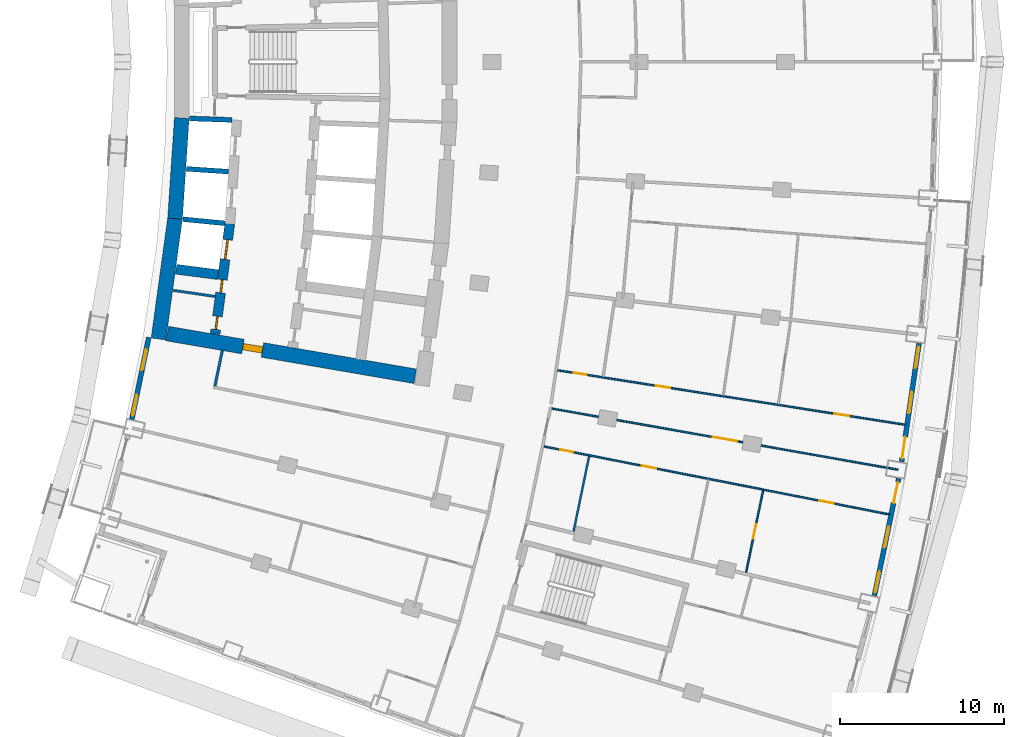
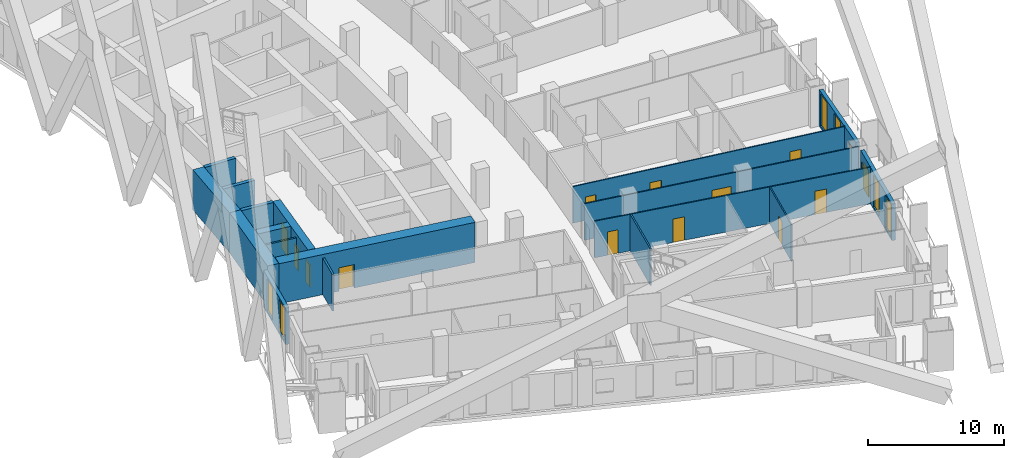
# One storey, part 13 of 23: 18 walls, 14 doors, 6 windows, 20 openings.
"""IFC4 building model written with IfcOpenShell, lengths in metres."""

from ifc_helpers import new_model, si_unit, direction, frame, frame_2d, origin, place, context, subcontext, project, spatial, rectangle, extrude, material, layer, layer_set, type_object, element, fill, save


model = new_model("IFC4")

# Units and contexts
model_context = context("Model", 3, precision=1e-05, world=origin(), true_north=direction((0.0, 1.0)))
body_context = subcontext(model_context, "Body", "Model", "MODEL_VIEW")
ifc_project = project(units=[si_unit("LENGTHUNIT", "METRE"), si_unit("AREAUNIT", "SQUARE_METRE"), si_unit("VOLUMEUNIT", "CUBIC_METRE"), si_unit("PLANEANGLEUNIT", "RADIAN"), si_unit("MASSUNIT", "GRAM", prefix="KILO")], contexts=[model_context])

# Site, building, storey
site_placement = place(None, origin())
site = spatial("IfcSite", under=ifc_project, at=site_placement, CompositionType="ELEMENT")
building_placement = place(site_placement, origin())
building = spatial("IfcBuilding", under=site, at=building_placement, Name="Alderwake Tower", CompositionType="ELEMENT")
storey_placement = place(building_placement, frame((0.0, 0.0, 53.60009765625)))
storey = spatial("IfcBuildingStorey", under=building, at=storey_placement, Name="L12", CompositionType="ELEMENT", Elevation=53.60009765625)

# Walls
ifc_material_1 = material(Name="Gypsum shaft wall system, rated")
ifc_layer_1 = layer(ifc_material_1, 0.14990234375)
ifc_layer_set_1 = layer_set([ifc_layer_1], Name="Core room partition 150")
wall_type_1 = type_object("IfcWallType", Name="Core room partition 150", PredefinedType="PARTITIONING", material=ifc_layer_set_1)
wall_1_placement = place(storey_placement, frame((16.361328125, 47.08203125, 0.0), z_axis=(0.0, 0.0, 1.0), x_axis=(0.989733250733, -0.142926877787, 0.0)))
element("IfcWall", 1, at=wall_1_placement, inside=storey, type_object=wall_type_1, Name="CW/L12/PR-150_+0", PredefinedType="PARTITIONING", context=body_context, shape_type="SweptSolid", body=[
    extrude(rectangle(XDim=2.587890625, YDim=0.14990234375, at=frame_2d((1.2939453125, 0.0))), origin(), (0.0, 0.0, 1.0), 3.27978515625),
])
ifc_material_2 = material(Name="Concrete C70/85", Category="concrete")
ifc_layer_2 = layer(ifc_material_2, 0.89990234375)
ifc_layer_set_2 = layer_set([ifc_layer_2], Name="Core wall outer 900 C70-85")
wall_type_2 = type_object("IfcWallType", Name="Core wall outer 900 C70-85", PredefinedType="SHEAR", material=ifc_layer_set_2)
wall_2_placement = place(storey_placement, frame((15.46923828125, 44.1201171875, 0.0), z_axis=(0.0, 0.0, 1.0), x_axis=(0.136337234661, 0.990662484626, 0.0)))
element("IfcWall", 2, at=wall_2_placement, inside=storey, type_object=wall_type_2, Name="Core wall CW.042", PredefinedType="SHEAR", context=body_context, shape_type="SweptSolid", body=[
    extrude(rectangle(XDim=7.431396484375, YDim=0.89990234375, at=frame_2d((3.7158203125, 0.0))), origin(), (0.0, 0.0, 1.0), 3.599853515625),
])
wall_3_placement = place(storey_placement, frame((16.47900390625, 51.449951171875, 0.0), z_axis=(0.0, 0.0, 1.0), x_axis=(0.06689316208, 0.997760143956, 0.0)))
element("IfcWall", 3, at=wall_3_placement, inside=storey, type_object=wall_type_2, Name="Core wall CW.041", PredefinedType="SHEAR", context=body_context, shape_type="SweptSolid", body=[
    extrude(rectangle(XDim=6.149658203125, YDim=0.89990234375, at=frame_2d((3.07470703125, 0.0))), origin(), (0.0, 0.0, 1.0), 3.599853515625),
])

# Wall, opening, door
wall_4_placement = place(storey_placement, frame((31.11328125, 41.846923828125, 0.0), z_axis=(0.0, 0.0, 1.0), x_axis=(-0.985466640605, 0.169869067972, 0.0)))
wall_4 = element("IfcWall", 4, at=wall_4_placement, inside=storey, type_object=wall_type_2, Name="Core wall CW.070", PredefinedType="SHEAR", context=body_context, shape_type="SweptSolid", body=[
    extrude(rectangle(XDim=15.336669921875, YDim=0.89990234375, at=frame_2d((7.66845703125, 0.0))), origin(), (0.0, 0.0, 1.0), 3.599853515625),
])
opening_1_placement = place(wall_4_placement, frame((9.451904296875, 0.0, 0.0)))
opening_1 = element("IfcOpeningElement", 5, at=opening_1_placement, cuts=wall_4, Name="Opening C003", PredefinedType="OPENING", context=body_context, shape_type="SweptSolid", body=[
    extrude(rectangle(XDim=1.199951171875, YDim=2.10009765625, at=frame_2d((0.60009765625, 1.050048828125))), frame((0.0, 0.4599609375, 0.0), z_axis=(0.0, -1.0, 0.0), x_axis=(1.0, 0.0, 0.0)), (0.0, 0.0, 1.0), 0.919921875),
])
ifc_material_3 = material(Name="Steel-framed fire door leaf", Category="steel")
door_type_1 = type_object("IfcDoorType", Name="Core lobby exit door 1200 fire-rated", OperationType="SINGLE_SWING_LEFT", PredefinedType="DOOR", material=ifc_material_3)
door_1_placement = place(opening_1_placement, origin())
door_1 = element("IfcDoor", 6, at=door_1_placement, inside=storey, type_object=door_type_1, Name="Lobby door", OperationType="SINGLE_SWING_LEFT", OverallHeight=2.10009765625, OverallWidth=1.199951171875, PredefinedType="DOOR", context=body_context, shape_type="SweptSolid", body=[
    extrude(rectangle(XDim=1.199951171875, YDim=2.10009765625, at=frame_2d((0.60009765625, 1.050048828125))), frame((0.0, 0.199951171875, 0.0), z_axis=(0.0, -1.0, 0.0), x_axis=(1.0, 0.0, 0.0)), (0.0, 0.0, 1.0), 0.39990234375),
])
fill(opening_1, door_1)

# Walls
ifc_material_4 = material(Name="Concrete C70/85", Category="concrete")
ifc_layer_3 = layer(ifc_material_4, 0.300048828125)
ifc_layer_set_3 = layer_set([ifc_layer_3], Name="Core wall shaft 300 C70-85")
wall_type_3 = type_object("IfcWallType", Name="Core wall shaft 300 C70-85", PredefinedType="SHEAR", material=ifc_layer_set_3)
wall_5_placement = place(storey_placement, frame((16.9580078125, 51.4189453125, 0.0), z_axis=(0.0, 0.0, 1.0), x_axis=(0.995153154577, -0.098337169657, 0.0)))
element("IfcWall", 7, at=wall_5_placement, inside=storey, type_object=wall_type_3, Name="Core wall CW.065", PredefinedType="SHEAR", context=body_context, shape_type="SweptSolid", body=[
    extrude(rectangle(XDim=2.569580078125, YDim=0.300048828125, at=frame_2d((1.28466796875, 0.0))), origin(), (0.0, 0.0, 1.0), 3.599853515625),
])
wall_6_placement = place(storey_placement, frame((17.16357421875, 54.486083984375, 0.0), z_axis=(0.0, 0.0, 1.0), x_axis=(0.997758581961, -0.066916456292, 0.0)))
element("IfcWall", 8, at=wall_6_placement, inside=storey, type_object=wall_type_3, Name="Core wall CW.079", PredefinedType="SHEAR", context=body_context, shape_type="SweptSolid", body=[
    extrude(rectangle(XDim=2.568603515625, YDim=0.300048828125, at=frame_2d((1.2841796875, 0.0))), origin(), (0.0, 0.0, 1.0), 3.599853515625),
])
wall_7_placement = place(storey_placement, frame((17.369140625, 57.553466796875, 0.0), z_axis=(0.0, 0.0, 1.0), x_axis=(0.99937189907, -0.035437372217, 0.0)))
element("IfcWall", 9, at=wall_7_placement, inside=storey, type_object=wall_type_3, Name="Core wall CW.076", PredefinedType="SHEAR", context=body_context, shape_type="SweptSolid", body=[
    extrude(rectangle(XDim=2.56982421875, YDim=0.300048828125, at=frame_2d((1.284912109375, 0.0))), origin(), (0.0, 0.0, 1.0), 3.599853515625),
])

# Wall, openings, doors
ifc_material_5 = material(Name="Concrete C70/85", Category="concrete")
ifc_layer_4 = layer(ifc_material_5, 0.60009765625)
ifc_layer_set_4 = layer_set([ifc_layer_4], Name="Core wall spine 600 C70-85")
wall_type_4 = type_object("IfcWallType", Name="Core wall spine 600 C70-85", PredefinedType="SHEAR", material=ifc_layer_set_4)
wall_8_placement = place(storey_placement, frame((19.815185546875, 51.14697265625, 0.0), z_axis=(0.0, 0.0, 1.0), x_axis=(-0.131854836214, -0.991269036219, 0.0)))
wall_8 = element("IfcWall", 10, at=wall_8_placement, inside=storey, type_object=wall_type_4, Name="Core wall CW.033", PredefinedType="SHEAR", context=body_context, shape_type="SweptSolid", body=[
    extrude(rectangle(XDim=6.782470703125, YDim=0.60009765625, at=frame_2d((3.39111328125, 0.0))), origin(), (0.0, 0.0, 1.0), 3.599853515625),
])
opening_2_placement = place(wall_8_placement, frame((0.9921875, 0.0, 0.0)))
opening_2 = element("IfcOpeningElement", 11, at=opening_2_placement, cuts=wall_8, Name="Opening LD-LP1", PredefinedType="OPENING", context=body_context, shape_type="SweptSolid", body=[
    extrude(rectangle(XDim=1.199951171875, YDim=2.300048828125, at=frame_2d((0.60009765625, 1.14990234375))), frame((0.0, 0.31005859375, 0.0), z_axis=(0.0, -1.0, 0.0), x_axis=(1.0, 0.0, 0.0)), (0.0, 0.0, 1.0), 0.6201171875),
])
opening_3_placement = place(wall_8_placement, frame((5.699951171875, 0.0, 0.0)))
opening_3 = element("IfcOpeningElement", 12, at=opening_3_placement, cuts=wall_8, Name="Opening C008", PredefinedType="OPENING", context=body_context, shape_type="SweptSolid", body=[
    extrude(rectangle(XDim=0.800048828125, YDim=2.0, at=frame_2d((0.39990234375, 1.0))), frame((0.0, 0.31005859375, 0.0), z_axis=(0.0, -1.0, 0.0), x_axis=(1.0, 0.0, 0.0)), (0.0, 0.0, 1.0), 0.6201171875),
])
opening_4_placement = place(wall_8_placement, frame((3.4462890625, 0.0, 0.0)))
opening_4 = element("IfcOpeningElement", 13, at=opening_4_placement, cuts=wall_8, Name="Opening C012", PredefinedType="OPENING", context=body_context, shape_type="SweptSolid", body=[
    extrude(rectangle(XDim=0.800048828125, YDim=2.0, at=frame_2d((0.39990234375, 1.0))), frame((0.0, 0.31005859375, 0.0), z_axis=(0.0, -1.0, 0.0), x_axis=(1.0, 0.0, 0.0)), (0.0, 0.0, 1.0), 0.6201171875),
])
ifc_material_6 = material(Name="Stainless steel sliding leaf", Category="steel")
door_type_2 = type_object("IfcDoorType", Name="Lift landing door 1200", OperationType="SLIDING_TO_LEFT", PredefinedType="DOOR", material=ifc_material_6)
door_2_placement = place(opening_2_placement, origin())
door_2 = element("IfcDoor", 14, at=door_2_placement, inside=storey, type_object=door_type_2, Name="Lift landing door LP1", OperationType="SLIDING_TO_LEFT", OverallHeight=2.300048828125, OverallWidth=1.199951171875, PredefinedType="DOOR", context=body_context, shape_type="SweptSolid", body=[
    extrude(rectangle(XDim=1.199951171875, YDim=2.300048828125, at=frame_2d((0.60009765625, 1.14990234375))), frame((0.0, 0.050048828125, 0.0), z_axis=(0.0, -1.0, 0.0), x_axis=(1.0, 0.0, 0.0)), (0.0, 0.0, 1.0), 0.10009765625),
])
fill(opening_2, door_2)
ifc_material_7 = material(Name="Painted steel leaf, rated", Category="steel")
door_type_3 = type_object("IfcDoorType", Name="Riser access door 800", OperationType="SINGLE_SWING_LEFT", PredefinedType="DOOR", material=ifc_material_7)
door_3_placement = place(opening_3_placement, origin())
door_3 = element("IfcDoor", 15, at=door_3_placement, inside=storey, type_object=door_type_3, Name="Riser access door", OperationType="SINGLE_SWING_LEFT", OverallHeight=2.0, OverallWidth=0.800048828125, PredefinedType="DOOR", context=body_context, shape_type="SweptSolid", body=[
    extrude(rectangle(XDim=0.800048828125, YDim=2.0, at=frame_2d((0.39990234375, 1.0))), frame((0.0, 0.050048828125, 0.0), z_axis=(0.0, -1.0, 0.0), x_axis=(1.0, 0.0, 0.0)), (0.0, 0.0, 1.0), 0.10009765625),
])
fill(opening_3, door_3)
door_4_placement = place(opening_4_placement, origin())
door_4 = element("IfcDoor", 16, at=door_4_placement, inside=storey, type_object=door_type_3, Name="Riser access door", OperationType="SINGLE_SWING_RIGHT", OverallHeight=2.0, OverallWidth=0.800048828125, PredefinedType="DOOR", context=body_context, shape_type="SweptSolid", body=[
    extrude(rectangle(XDim=0.800048828125, YDim=2.0, at=frame_2d((0.39990234375, 1.0))), frame((0.0, 0.050048828125, 0.0), z_axis=(0.0, -1.0, 0.0), x_axis=(1.0, 0.0, 0.0)), (0.0, 0.0, 1.0), 0.10009765625),
])
fill(opening_4, door_4)

# Walls
wall_9_placement = place(storey_placement, frame((16.5390625, 48.373291015625, 0.0), z_axis=(0.0, 0.0, 1.0), x_axis=(0.99156081818, -0.129642369037, 0.0)))
element("IfcWall", 17, at=wall_9_placement, inside=storey, type_object=wall_type_4, Name="Core wall CW.067", PredefinedType="SHEAR", context=body_context, shape_type="SweptSolid", body=[
    extrude(rectangle(XDim=2.581787109375, YDim=0.60009765625, at=frame_2d((1.291015625, 0.0))), origin(), (0.0, 0.0, 1.0), 3.599853515625),
])
ifc_material_8 = material(Name="Gypsum board on metal studs, rated")
ifc_layer_5 = layer(ifc_material_8, 0.159912109375)
ifc_layer_set_5 = layer_set([ifc_layer_5], Name="Corridor wall 160")
wall_type_5 = type_object("IfcWallType", Name="Corridor wall 160", PredefinedType="PARTITIONING", material=ifc_layer_set_5)
wall_10_placement = place(storey_placement, frame((19.35888671875, 43.430908203125, 0.0), z_axis=(0.0, 0.0, 1.0), x_axis=(-0.202554916658, -0.979270905183, 0.0)))
element("IfcWall", 18, at=wall_10_placement, inside=storey, type_object=wall_type_5, Name="WL/L12/W16", PredefinedType="PARTITIONING", context=body_context, shape_type="SweptSolid", body=[
    extrude(rectangle(XDim=2.229736328125, YDim=0.159912109375, at=frame_2d((1.11474609375, 0.0))), origin(), (0.0, 0.0, 1.0), 3.27978515625),
])

# Wall, openings, door, windows
ifc_material_9 = material(Name="Precast concrete C50/60 spandrel panel", Category="concrete")
ifc_layer_6 = layer(ifc_material_9, 0.300048828125)
ifc_layer_set_6 = layer_set([ifc_layer_6], Name="External wall EW1 Precast concrete C50/60 spandrel")
wall_type_6 = type_object("IfcWallType", Name="External wall EW1 Precast concrete C50/60 spandrel", PredefinedType="SOLIDWALL", material=ifc_layer_set_6)
wall_11_placement = place(storey_placement, frame((59.085205078125, 28.483642578125, 0.0), z_axis=(0.0, 0.0, 1.0), x_axis=(0.202751929138, 0.979230133948, 0.0)))
wall_11 = element("IfcWall", 19, at=wall_11_placement, inside=storey, type_object=wall_type_6, Name="External wall 13", PredefinedType="SOLIDWALL", context=body_context, shape_type="SweptSolid", body=[
    extrude(rectangle(XDim=7.28271484375, YDim=0.300048828125, at=frame_2d((3.641357421875, 0.0))), origin(), (0.0, 0.0, 1.0), 3.27978515625),
])
opening_5_placement = place(wall_11_placement, frame((0.218994140625, 0.0, 0.199951171875)))
opening_5 = element("IfcOpeningElement", 20, at=opening_5_placement, cuts=wall_11, Name="Opening W1", PredefinedType="OPENING", context=body_context, shape_type="SweptSolid", body=[
    extrude(rectangle(XDim=1.300048828125, YDim=2.89990234375, at=frame_2d((0.64990234375, 1.449951171875))), frame((0.0, 0.159912109375, 0.0), z_axis=(0.0, -1.0, 0.0), x_axis=(1.0, 0.0, 0.0)), (0.0, 0.0, 1.0), 0.320068359375),
])
opening_6_placement = place(wall_11_placement, frame((2.9912109375, 0.0, 0.199951171875)))
opening_6 = element("IfcOpeningElement", 21, at=opening_6_placement, cuts=wall_11, Name="Opening W1", PredefinedType="OPENING", context=body_context, shape_type="SweptSolid", body=[
    extrude(rectangle(XDim=1.300048828125, YDim=2.89990234375, at=frame_2d((0.64990234375, 1.449951171875))), frame((0.0, 0.159912109375, 0.0), z_axis=(0.0, -1.0, 0.0), x_axis=(1.0, 0.0, 0.0)), (0.0, 0.0, 1.0), 0.320068359375),
])
opening_7_placement = place(wall_11_placement, frame((5.763671875, 0.0, 0.0)))
opening_7 = element("IfcOpeningElement", 22, at=opening_7_placement, cuts=wall_11, Name="Opening D04", PredefinedType="OPENING", context=body_context, shape_type="SweptSolid", body=[
    extrude(rectangle(XDim=1.300048828125, YDim=2.39990234375, at=frame_2d((0.64990234375, 1.199951171875))), frame((0.0, 0.159912109375, 0.0), z_axis=(0.0, -1.0, 0.0), x_axis=(1.0, 0.0, 0.0)), (0.0, 0.0, 1.0), 0.320068359375),
])
ifc_material_10 = material(Name="Bronze tinted glass in aluminium frame", Category="aluminium")
door_type_4 = type_object("IfcDoorType", Name="Balcony door BD sliding", OperationType="SLIDING_TO_LEFT", PredefinedType="DOOR", material=ifc_material_10)
door_5_placement = place(opening_7_placement, origin())
door_5 = element("IfcDoor", 23, at=door_5_placement, inside=storey, type_object=door_type_4, Name="Door D04", OperationType="SLIDING_TO_LEFT", OverallHeight=2.39990234375, OverallWidth=1.300048828125, PredefinedType="DOOR", context=body_context, shape_type="SweptSolid", body=[
    extrude(rectangle(XDim=1.300048828125, YDim=2.39990234375, at=frame_2d((0.64990234375, 1.199951171875))), frame((0.0, 0.02490234375, 0.0), z_axis=(0.0, -1.0, 0.0), x_axis=(1.0, 0.0, 0.0)), (0.0, 0.0, 1.0), 0.050048828125),
])
fill(opening_7, door_5)
ifc_material_11 = material(Name="Bronze tinted glass in aluminium frame", Category="aluminium")
window_type = type_object("IfcWindowType", Name="Window W1 tall fixed and vent", PartitioningType="DOUBLE_PANEL_VERTICAL", PredefinedType="WINDOW", material=ifc_material_11)
window_1_placement = place(opening_5_placement, origin())
window_1 = element("IfcWindow", 24, at=window_1_placement, inside=storey, type_object=window_type, Name="Window W1 tall fixed and vent", OverallHeight=2.89990234375, OverallWidth=1.300048828125, PartitioningType="DOUBLE_PANEL_VERTICAL", PredefinedType="WINDOW", context=body_context, shape_type="SweptSolid", body=[
    extrude(rectangle(XDim=1.300048828125, YDim=2.89990234375, at=frame_2d((0.64990234375, 1.449951171875))), frame((0.0, 0.030029296875, 0.0), z_axis=(0.0, -1.0, 0.0), x_axis=(1.0, 0.0, 0.0)), (0.0, 0.0, 1.0), 0.06005859375),
])
fill(opening_5, window_1)
window_2_placement = place(opening_6_placement, origin())
window_2 = element("IfcWindow", 25, at=window_2_placement, inside=storey, type_object=window_type, Name="Window W1 tall fixed and vent", OverallHeight=2.89990234375, OverallWidth=1.300048828125, PartitioningType="DOUBLE_PANEL_VERTICAL", PredefinedType="WINDOW", context=body_context, shape_type="SweptSolid", body=[
    extrude(rectangle(XDim=1.300048828125, YDim=2.89990234375, at=frame_2d((0.64990234375, 1.449951171875))), frame((0.0, 0.030029296875, 0.0), z_axis=(0.0, -1.0, 0.0), x_axis=(1.0, 0.0, 0.0)), (0.0, 0.0, 1.0), 0.06005859375),
])
fill(opening_6, window_2)

wall_12_placement = place(storey_placement, frame((60.744384765625, 36.647705078125, 0.0), z_axis=(0.0, 0.0, 1.0), x_axis=(0.14532991295, 0.989383250516, 0.0)))
wall_12 = element("IfcWall", 26, at=wall_12_placement, inside=storey, type_object=wall_type_6, Name="External wall 14", PredefinedType="SOLIDWALL", context=body_context, shape_type="SweptSolid", body=[
    extrude(rectangle(XDim=7.282470703125, YDim=0.300048828125, at=frame_2d((3.64111328125, 0.0))), origin(), (0.0, 0.0, 1.0), 3.27978515625),
])
opening_8_placement = place(wall_12_placement, frame((0.218994140625, 0.0, 0.0)))
opening_8 = element("IfcOpeningElement", 27, at=opening_8_placement, cuts=wall_12, Name="Opening D05", PredefinedType="OPENING", context=body_context, shape_type="SweptSolid", body=[
    extrude(rectangle(XDim=1.300048828125, YDim=2.39990234375, at=frame_2d((0.64990234375, 1.199951171875))), frame((0.0, 0.159912109375, 0.0), z_axis=(0.0, -1.0, 0.0), x_axis=(1.0, 0.0, 0.0)), (0.0, 0.0, 1.0), 0.320068359375),
])
opening_9_placement = place(wall_12_placement, frame((2.9912109375, 0.0, 0.199951171875)))
opening_9 = element("IfcOpeningElement", 28, at=opening_9_placement, cuts=wall_12, Name="Opening W1", PredefinedType="OPENING", context=body_context, shape_type="SweptSolid", body=[
    extrude(rectangle(XDim=1.300048828125, YDim=2.89990234375, at=frame_2d((0.64990234375, 1.449951171875))), frame((0.0, 0.159912109375, 0.0), z_axis=(0.0, -1.0, 0.0), x_axis=(1.0, 0.0, 0.0)), (0.0, 0.0, 1.0), 0.320068359375),
])
opening_10_placement = place(wall_12_placement, frame((5.763671875, 0.0, 0.199951171875)))
opening_10 = element("IfcOpeningElement", 29, at=opening_10_placement, cuts=wall_12, Name="Opening W1", PredefinedType="OPENING", context=body_context, shape_type="SweptSolid", body=[
    extrude(rectangle(XDim=1.300048828125, YDim=2.89990234375, at=frame_2d((0.64990234375, 1.449951171875))), frame((0.0, 0.159912109375, 0.0), z_axis=(0.0, -1.0, 0.0), x_axis=(1.0, 0.0, 0.0)), (0.0, 0.0, 1.0), 0.320068359375),
])
door_6_placement = place(opening_8_placement, origin())
door_6 = element("IfcDoor", 30, at=door_6_placement, inside=storey, type_object=door_type_4, Name="Door D05", OperationType="SLIDING_TO_LEFT", OverallHeight=2.39990234375, OverallWidth=1.300048828125, PredefinedType="DOOR", context=body_context, shape_type="SweptSolid", body=[
    extrude(rectangle(XDim=1.300048828125, YDim=2.39990234375, at=frame_2d((0.64990234375, 1.199951171875))), frame((0.0, 0.02490234375, 0.0), z_axis=(0.0, -1.0, 0.0), x_axis=(1.0, 0.0, 0.0)), (0.0, 0.0, 1.0), 0.050048828125),
])
fill(opening_8, door_6)
window_3_placement = place(opening_9_placement, origin())
window_3 = element("IfcWindow", 31, at=window_3_placement, inside=storey, type_object=window_type, Name="Window W1 tall fixed and vent", OverallHeight=2.89990234375, OverallWidth=1.300048828125, PartitioningType="DOUBLE_PANEL_VERTICAL", PredefinedType="WINDOW", context=body_context, shape_type="SweptSolid", body=[
    extrude(rectangle(XDim=1.300048828125, YDim=2.89990234375, at=frame_2d((0.64990234375, 1.449951171875))), frame((0.0, 0.030029296875, 0.0), z_axis=(0.0, -1.0, 0.0), x_axis=(1.0, 0.0, 0.0)), (0.0, 0.0, 1.0), 0.06005859375),
])
fill(opening_9, window_3)
window_4_placement = place(opening_10_placement, origin())
window_4 = element("IfcWindow", 32, at=window_4_placement, inside=storey, type_object=window_type, Name="Window W1 tall fixed and vent", OverallHeight=2.89990234375, OverallWidth=1.300048828125, PartitioningType="DOUBLE_PANEL_VERTICAL", PredefinedType="WINDOW", context=body_context, shape_type="SweptSolid", body=[
    extrude(rectangle(XDim=1.300048828125, YDim=2.89990234375, at=frame_2d((0.64990234375, 1.449951171875))), frame((0.0, 0.030029296875, 0.0), z_axis=(0.0, -1.0, 0.0), x_axis=(1.0, 0.0, 0.0)), (0.0, 0.0, 1.0), 0.06005859375),
])
fill(opening_10, window_4)

# Wall, openings, windows
wall_13_placement = place(storey_placement, frame((14.878173828125, 44.223388671875, 0.0), z_axis=(0.0, 0.0, 1.0), x_axis=(-0.202738354746, -0.979232944459, 0.0)))
wall_13 = element("IfcWall", 33, at=wall_13_placement, inside=storey, type_object=wall_type_6, Name="External wall 35", PredefinedType="SOLIDWALL", context=body_context, shape_type="SweptSolid", body=[
    extrude(rectangle(XDim=5.1083984375, YDim=0.300048828125, at=frame_2d((2.55419921875, 0.0))), origin(), (0.0, 0.0, 1.0), 3.27978515625),
])
opening_11_placement = place(wall_13_placement, frame((0.75634765625, 0.0, 0.199951171875)))
opening_11 = element("IfcOpeningElement", 34, at=opening_11_placement, cuts=wall_13, Name="Opening W1", PredefinedType="OPENING", context=body_context, shape_type="SweptSolid", body=[
    extrude(rectangle(XDim=1.300048828125, YDim=2.89990234375, at=frame_2d((0.64990234375, 1.449951171875))), frame((0.0, 0.159912109375, 0.0), z_axis=(0.0, -1.0, 0.0), x_axis=(1.0, 0.0, 0.0)), (0.0, 0.0, 1.0), 0.320068359375),
])
opening_12_placement = place(wall_13_placement, frame((3.569091796875, 0.0, 0.199951171875)))
opening_12 = element("IfcOpeningElement", 35, at=opening_12_placement, cuts=wall_13, Name="Opening W1", PredefinedType="OPENING", context=body_context, shape_type="SweptSolid", body=[
    extrude(rectangle(XDim=1.300048828125, YDim=2.89990234375, at=frame_2d((0.64990234375, 1.449951171875))), frame((0.0, 0.159912109375, 0.0), z_axis=(0.0, -1.0, 0.0), x_axis=(1.0, 0.0, 0.0)), (0.0, 0.0, 1.0), 0.320068359375),
])
window_5_placement = place(opening_11_placement, origin())
window_5 = element("IfcWindow", 36, at=window_5_placement, inside=storey, type_object=window_type, Name="Window W1 tall fixed and vent", OverallHeight=2.89990234375, OverallWidth=1.300048828125, PartitioningType="DOUBLE_PANEL_VERTICAL", PredefinedType="WINDOW", context=body_context, shape_type="SweptSolid", body=[
    extrude(rectangle(XDim=1.300048828125, YDim=2.89990234375, at=frame_2d((0.64990234375, 1.449951171875))), frame((0.0, 0.030029296875, 0.0), z_axis=(0.0, -1.0, 0.0), x_axis=(1.0, 0.0, 0.0)), (0.0, 0.0, 1.0), 0.06005859375),
])
fill(opening_11, window_5)
window_6_placement = place(opening_12_placement, origin())
window_6 = element("IfcWindow", 37, at=window_6_placement, inside=storey, type_object=window_type, Name="Window W1 tall fixed and vent", OverallHeight=2.89990234375, OverallWidth=1.300048828125, PartitioningType="DOUBLE_PANEL_VERTICAL", PredefinedType="WINDOW", context=body_context, shape_type="SweptSolid", body=[
    extrude(rectangle(XDim=1.300048828125, YDim=2.89990234375, at=frame_2d((0.64990234375, 1.449951171875))), frame((0.0, 0.030029296875, 0.0), z_axis=(0.0, -1.0, 0.0), x_axis=(1.0, 0.0, 0.0)), (0.0, 0.0, 1.0), 0.06005859375),
])
fill(opening_12, window_6)

# Wall, openings, doors
ifc_material_12 = material(Name="Gypsum board on metal studs")
ifc_layer_7 = layer(ifc_material_12, 0.10009765625)
ifc_layer_set_7 = layer_set([ifc_layer_7], Name="Unit partition 100")
wall_type_7 = type_object("IfcWallType", Name="Unit partition 100", PredefinedType="PARTITIONING", material=ifc_layer_set_7)
wall_14_placement = place(storey_placement, frame((60.009033203125, 33.428955078125, 0.0), z_axis=(0.0, 0.0, 1.0), x_axis=(-0.981171141016, 0.193140342852, 0.0)))
wall_14 = element("IfcWall", 38, at=wall_14_placement, inside=storey, type_object=wall_type_7, Name="WL/L12/W66", PredefinedType="PARTITIONING", context=body_context, shape_type="SweptSolid", body=[
    extrude(rectangle(XDim=21.463623046875, YDim=0.10009765625, at=frame_2d((10.73193359375, 0.0))), origin(), (0.0, 0.0, 1.0), 3.27978515625),
])
opening_13_placement = place(wall_14_placement, frame((14.493408203125, 0.0, 0.0)))
opening_13 = element("IfcOpeningElement", 39, at=opening_13_placement, cuts=wall_14, Name="Opening R03-U05.1", PredefinedType="OPENING", context=body_context, shape_type="SweptSolid", body=[
    extrude(rectangle(XDim=0.89990234375, YDim=2.10009765625, at=frame_2d((0.449951171875, 1.050048828125))), frame((0.0, 0.06005859375, 0.0), z_axis=(0.0, -1.0, 0.0), x_axis=(1.0, 0.0, 0.0)), (0.0, 0.0, 1.0), 0.1201171875),
])
opening_14_placement = place(wall_14_placement, frame((19.654296875, 0.0, 0.0)))
opening_14 = element("IfcOpeningElement", 40, at=opening_14_placement, cuts=wall_14, Name="Opening R03-U05.4", PredefinedType="OPENING", context=body_context, shape_type="SweptSolid", body=[
    extrude(rectangle(XDim=0.800048828125, YDim=2.10009765625, at=frame_2d((0.39990234375, 1.050048828125))), frame((0.0, 0.06005859375, 0.0), z_axis=(0.0, -1.0, 0.0), x_axis=(1.0, 0.0, 0.0)), (0.0, 0.0, 1.0), 0.1201171875),
])
opening_15_placement = place(wall_14_placement, frame((3.47265625, 0.0, 0.0)))
opening_15 = element("IfcOpeningElement", 41, at=opening_15_placement, cuts=wall_14, Name="Opening R03-U05.5", PredefinedType="OPENING", context=body_context, shape_type="SweptSolid", body=[
    extrude(rectangle(XDim=0.89990234375, YDim=2.10009765625, at=frame_2d((0.449951171875, 1.050048828125))), frame((0.0, 0.06005859375, 0.0), z_axis=(0.0, -1.0, 0.0), x_axis=(1.0, 0.0, 0.0)), (0.0, 0.0, 1.0), 0.1201171875),
])
ifc_material_13 = material(Name="Painted timber leaf", Category="wood")
door_type_5 = type_object("IfcDoorType", Name="Bathroom door 800", OperationType="SINGLE_SWING_LEFT", PredefinedType="DOOR", material=ifc_material_13)
door_7_placement = place(opening_14_placement, origin())
door_7 = element("IfcDoor", 42, at=door_7_placement, inside=storey, type_object=door_type_5, Name="DR/L12/U05.4", OperationType="SINGLE_SWING_LEFT", OverallHeight=2.10009765625, OverallWidth=0.800048828125, PredefinedType="DOOR", context=body_context, shape_type="SweptSolid", body=[
    extrude(rectangle(XDim=0.800048828125, YDim=2.10009765625, at=frame_2d((0.39990234375, 1.050048828125))), frame((0.0, 0.02490234375, 0.0), z_axis=(0.0, -1.0, 0.0), x_axis=(1.0, 0.0, 0.0)), (0.0, 0.0, 1.0), 0.050048828125),
])
fill(opening_14, door_7)
ifc_material_14 = material(Name="Painted timber leaf", Category="wood")
door_type_6 = type_object("IfcDoorType", Name="Room door 900", OperationType="SINGLE_SWING_LEFT", PredefinedType="DOOR", material=ifc_material_14)
door_8_placement = place(opening_13_placement, origin())
door_8 = element("IfcDoor", 43, at=door_8_placement, inside=storey, type_object=door_type_6, Name="DR/L12/U05.1", OperationType="SINGLE_SWING_LEFT", OverallHeight=2.10009765625, OverallWidth=0.89990234375, PredefinedType="DOOR", context=body_context, shape_type="SweptSolid", body=[
    extrude(rectangle(XDim=0.89990234375, YDim=2.10009765625, at=frame_2d((0.449951171875, 1.050048828125))), frame((0.0, 0.02490234375, 0.0), z_axis=(0.0, -1.0, 0.0), x_axis=(1.0, 0.0, 0.0)), (0.0, 0.0, 1.0), 0.050048828125),
])
fill(opening_13, door_8)
door_9_placement = place(opening_15_placement, origin())
door_9 = element("IfcDoor", 44, at=door_9_placement, inside=storey, type_object=door_type_6, Name="DR/L12/U05.5", OperationType="SINGLE_SWING_LEFT", OverallHeight=2.10009765625, OverallWidth=0.89990234375, PredefinedType="DOOR", context=body_context, shape_type="SweptSolid", body=[
    extrude(rectangle(XDim=0.89990234375, YDim=2.10009765625, at=frame_2d((0.449951171875, 1.050048828125))), frame((0.0, 0.02490234375, 0.0), z_axis=(0.0, -1.0, 0.0), x_axis=(1.0, 0.0, 0.0)), (0.0, 0.0, 1.0), 0.050048828125),
])
fill(opening_15, door_9)

wall_15_placement = place(storey_placement, frame((39.76904296875, 42.215576171875, 0.0), z_axis=(0.0, 0.0, 1.0), x_axis=(0.987940583593, -0.154833469542, 0.0)))
wall_15 = element("IfcWall", 45, at=wall_15_placement, inside=storey, type_object=wall_type_7, Name="WL/L12/W69", PredefinedType="PARTITIONING", context=body_context, shape_type="SweptSolid", body=[
    extrude(rectangle(XDim=21.46484375, YDim=0.10009765625, at=frame_2d((10.732421875, 0.0))), origin(), (0.0, 0.0, 1.0), 3.27978515625),
])
opening_16_placement = place(wall_15_placement, frame((6.0712890625, 0.0, 0.0)))
opening_16 = element("IfcOpeningElement", 46, at=opening_16_placement, cuts=wall_15, Name="Opening R03-U05.6", PredefinedType="OPENING", context=body_context, shape_type="SweptSolid", body=[
    extrude(rectangle(XDim=0.89990234375, YDim=2.10009765625, at=frame_2d((0.449951171875, 1.050048828125))), frame((0.0, 0.06005859375, 0.0), z_axis=(0.0, -1.0, 0.0), x_axis=(1.0, 0.0, 0.0)), (0.0, 0.0, 1.0), 0.1201171875),
])
opening_17_placement = place(wall_15_placement, frame((1.010009765625, 0.0, 0.0)))
opening_17 = element("IfcOpeningElement", 47, at=opening_17_placement, cuts=wall_15, Name="Opening R03-U05.7", PredefinedType="OPENING", context=body_context, shape_type="SweptSolid", body=[
    extrude(rectangle(XDim=0.800048828125, YDim=2.10009765625, at=frame_2d((0.39990234375, 1.050048828125))), frame((0.0, 0.06005859375, 0.0), z_axis=(0.0, -1.0, 0.0), x_axis=(1.0, 0.0, 0.0)), (0.0, 0.0, 1.0), 0.1201171875),
])
opening_18_placement = place(wall_15_placement, frame((17.092041015625, 0.0, 0.0)))
opening_18 = element("IfcOpeningElement", 48, at=opening_18_placement, cuts=wall_15, Name="Opening R03-U05.8", PredefinedType="OPENING", context=body_context, shape_type="SweptSolid", body=[
    extrude(rectangle(XDim=0.89990234375, YDim=2.10009765625, at=frame_2d((0.449951171875, 1.050048828125))), frame((0.0, 0.06005859375, 0.0), z_axis=(0.0, -1.0, 0.0), x_axis=(1.0, 0.0, 0.0)), (0.0, 0.0, 1.0), 0.1201171875),
])
door_10_placement = place(opening_17_placement, origin())
door_10 = element("IfcDoor", 49, at=door_10_placement, inside=storey, type_object=door_type_5, Name="DR/L12/U05.7", OperationType="SINGLE_SWING_LEFT", OverallHeight=2.10009765625, OverallWidth=0.800048828125, PredefinedType="DOOR", context=body_context, shape_type="SweptSolid", body=[
    extrude(rectangle(XDim=0.800048828125, YDim=2.10009765625, at=frame_2d((0.39990234375, 1.050048828125))), frame((0.0, 0.02490234375, 0.0), z_axis=(0.0, -1.0, 0.0), x_axis=(1.0, 0.0, 0.0)), (0.0, 0.0, 1.0), 0.050048828125),
])
fill(opening_17, door_10)
door_11_placement = place(opening_16_placement, origin())
door_11 = element("IfcDoor", 50, at=door_11_placement, inside=storey, type_object=door_type_6, Name="DR/L12/U05.6", OperationType="SINGLE_SWING_LEFT", OverallHeight=2.10009765625, OverallWidth=0.89990234375, PredefinedType="DOOR", context=body_context, shape_type="SweptSolid", body=[
    extrude(rectangle(XDim=0.89990234375, YDim=2.10009765625, at=frame_2d((0.449951171875, 1.050048828125))), frame((0.0, 0.02490234375, 0.0), z_axis=(0.0, -1.0, 0.0), x_axis=(1.0, 0.0, 0.0)), (0.0, 0.0, 1.0), 0.050048828125),
])
fill(opening_16, door_11)
door_12_placement = place(opening_18_placement, origin())
door_12 = element("IfcDoor", 51, at=door_12_placement, inside=storey, type_object=door_type_6, Name="DR/L12/U05.8", OperationType="SINGLE_SWING_LEFT", OverallHeight=2.10009765625, OverallWidth=0.89990234375, PredefinedType="DOOR", context=body_context, shape_type="SweptSolid", body=[
    extrude(rectangle(XDim=0.89990234375, YDim=2.10009765625, at=frame_2d((0.449951171875, 1.050048828125))), frame((0.0, 0.02490234375, 0.0), z_axis=(0.0, -1.0, 0.0), x_axis=(1.0, 0.0, 0.0)), (0.0, 0.0, 1.0), 0.050048828125),
])
fill(opening_18, door_12)

# Wall, opening, door
wall_16_placement = place(storey_placement, frame((51.269287109375, 29.906005859375, 0.0), z_axis=(0.0, 0.0, 1.0), x_axis=(0.20302230098, 0.979174113886, 0.0)))
wall_16 = element("IfcWall", 52, at=wall_16_placement, inside=storey, type_object=wall_type_7, Name="WL/L12/W83", PredefinedType="PARTITIONING", context=body_context, shape_type="SweptSolid", body=[
    extrude(rectangle(XDim=5.09521484375, YDim=0.10009765625, at=frame_2d((2.547607421875, 0.0))), origin(), (0.0, 0.0, 1.0), 3.27978515625),
])
opening_19_placement = place(wall_16_placement, frame((2.09765625, 0.0, 0.0)))
opening_19 = element("IfcOpeningElement", 53, at=opening_19_placement, cuts=wall_16, Name="Opening R03-U05.2", PredefinedType="OPENING", context=body_context, shape_type="SweptSolid", body=[
    extrude(rectangle(XDim=0.89990234375, YDim=2.10009765625, at=frame_2d((0.449951171875, 1.050048828125))), frame((0.0, 0.06005859375, 0.0), z_axis=(0.0, -1.0, 0.0), x_axis=(1.0, 0.0, 0.0)), (0.0, 0.0, 1.0), 0.1201171875),
])
door_13_placement = place(opening_19_placement, origin())
door_13 = element("IfcDoor", 54, at=door_13_placement, inside=storey, type_object=door_type_6, Name="DR/L12/U05.2", OperationType="SINGLE_SWING_LEFT", OverallHeight=2.10009765625, OverallWidth=0.89990234375, PredefinedType="DOOR", context=body_context, shape_type="SweptSolid", body=[
    extrude(rectangle(XDim=0.89990234375, YDim=2.10009765625, at=frame_2d((0.449951171875, 1.050048828125))), frame((0.0, 0.02490234375, 0.0), z_axis=(0.0, -1.0, 0.0), x_axis=(1.0, 0.0, 0.0)), (0.0, 0.0, 1.0), 0.050048828125),
])
fill(opening_19, door_13)

wall_17_placement = place(storey_placement, frame((39.4267578125, 39.883056640625, 0.0), z_axis=(0.0, 0.0, 1.0), x_axis=(0.984744519695, -0.174006410603, 0.0)))
wall_17 = element("IfcWall", 55, at=wall_17_placement, inside=storey, type_object=wall_type_7, Name="WL/L12/W90", PredefinedType="PARTITIONING", context=body_context, shape_type="SweptSolid", body=[
    extrude(rectangle(XDim=21.4189453125, YDim=0.10009765625, at=frame_2d((10.70947265625, 0.0))), origin(), (0.0, 0.0, 1.0), 3.27978515625),
])
opening_20_placement = place(wall_17_placement, frame((9.95947265625, 0.0, 0.0)))
opening_20 = element("IfcOpeningElement", 56, at=opening_20_placement, cuts=wall_17, Name="Opening R03-U05.10", PredefinedType="OPENING", context=body_context, shape_type="SweptSolid", body=[
    extrude(rectangle(XDim=1.5, YDim=2.10009765625, at=frame_2d((0.75, 1.050048828125))), frame((0.0, 0.06005859375, 0.0), z_axis=(0.0, -1.0, 0.0), x_axis=(1.0, 0.0, 0.0)), (0.0, 0.0, 1.0), 0.1201171875),
])
ifc_material_15 = material(Name="Painted timber leaves", Category="wood")
door_type_7 = type_object("IfcDoorType", Name="Double leaf door 1500", OperationType="DOUBLE_DOOR_SINGLE_SWING", PredefinedType="DOOR", material=ifc_material_15)
door_14_placement = place(opening_20_placement, origin())
door_14 = element("IfcDoor", 57, at=door_14_placement, inside=storey, type_object=door_type_7, Name="DR/L12/U05.10", OperationType="DOUBLE_DOOR_SINGLE_SWING", OverallHeight=2.10009765625, OverallWidth=1.5, PredefinedType="DOOR", context=body_context, shape_type="SweptSolid", body=[
    extrude(rectangle(XDim=1.5, YDim=2.10009765625, at=frame_2d((0.75, 1.050048828125))), frame((0.0, 0.02490234375, 0.0), z_axis=(0.0, -1.0, 0.0), x_axis=(1.0, 0.0, 0.0)), (0.0, 0.0, 1.0), 0.050048828125),
])
fill(opening_20, door_14)

# Wall
ifc_material_16 = material(Name="Moisture resistant gypsum board on metal studs")
ifc_layer_8 = layer(ifc_material_16, 0.1201171875)
ifc_layer_set_8 = layer_set([ifc_layer_8], Name="Wet room partition 120")
wall_type_8 = type_object("IfcWallType", Name="Wet room partition 120", PredefinedType="PARTITIONING", material=ifc_layer_set_8)
wall_18_placement = place(storey_placement, frame((40.75732421875, 32.402099609375, 0.0), z_axis=(0.0, 0.0, 1.0), x_axis=(0.202555554597, 0.97927077323, 0.0)))
element("IfcWall", 58, at=wall_18_placement, inside=storey, type_object=wall_type_8, Name="WL/L12/W52", PredefinedType="PARTITIONING", context=body_context, shape_type="SweptSolid", body=[
    extrude(rectangle(XDim=4.677734375, YDim=0.1201171875, at=frame_2d((2.3388671875, 0.0))), origin(), (0.0, 0.0, 1.0), 3.27978515625),
])

save(model, "model.ifc")
